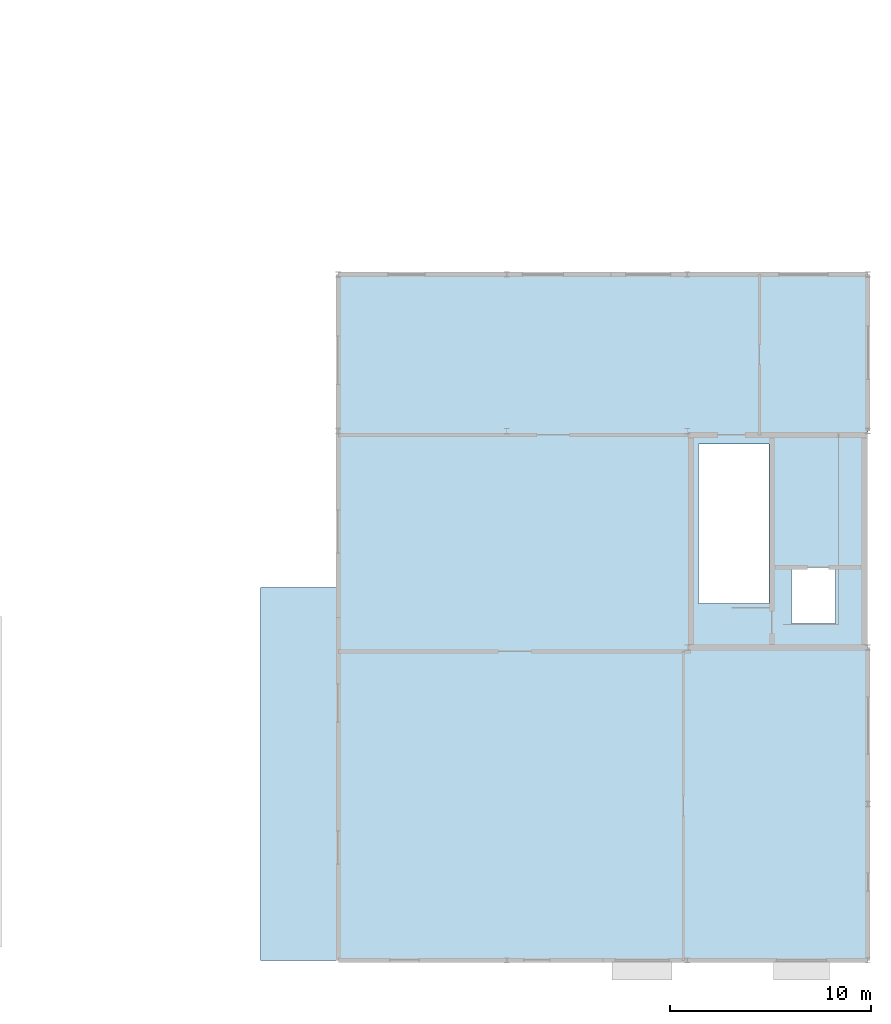
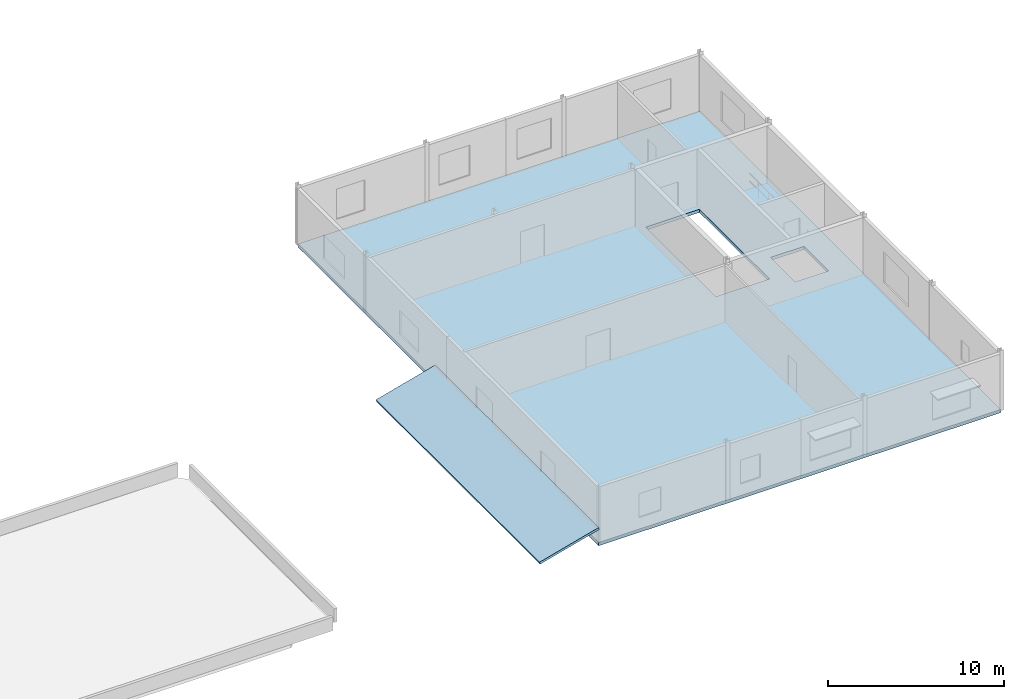
# One storey, part 34 of 54: 2 slabs.
"""IFC4 building model written with IfcOpenShell, lengths in metres."""

from ifc_helpers import new_model, si_unit, direction, frame, origin, place, context, subcontext, project, spatial, polyline, outline, extrude, material, layer, layer_set, type_object, element, save


model = new_model("IFC4")

# Units and contexts
model_context = context("Model", 3, precision=1e-05, world=origin(), true_north=direction((0.0, 1.0)))
body_context = subcontext(model_context, "Body", "Model", "MODEL_VIEW")
ifc_project = project(units=[si_unit("LENGTHUNIT", "METRE"), si_unit("AREAUNIT", "SQUARE_METRE"), si_unit("VOLUMEUNIT", "CUBIC_METRE"), si_unit("PLANEANGLEUNIT", "RADIAN"), si_unit("MASSUNIT", "GRAM", prefix="KILO")], contexts=[model_context])

# Site, building, storey
site_placement = place(None, origin())
site = spatial("IfcSite", under=ifc_project, at=site_placement, CompositionType="ELEMENT")
building_placement = place(site_placement, origin())
building = spatial("IfcBuilding", under=site, at=building_placement, Name="Selat Folded Stagehouse", CompositionType="ELEMENT")
storey_placement = place(building_placement, frame((0.0, 0.0, 15.0)))
storey = spatial("IfcBuildingStorey", under=building, at=storey_placement, Name="L03", CompositionType="ELEMENT", Elevation=15.0)

# Slabs
ifc_material = material(Name="Concrete C40/50", Category="concrete")
ifc_layer_1 = layer(ifc_material, 0.219970703125)
ifc_layer_set_1 = layer_set([ifc_layer_1], Name="Concrete C40/50")
slab_type_1 = type_object("IfcSlabType", Name="SLAB-FLR-220", PredefinedType="FLOOR", material=ifc_layer_set_1)
slab_1_placement = place(storey_placement, frame((0.0, 0.0, -0.219970703125)))
element("IfcSlab", 1, at=slab_1_placement, inside=storey, type_object=slab_type_1, Name="L03 V3 floor slab SL-L03-V3", PredefinedType="FLOOR", context=body_context, shape_type="SweptSolid", body=[
    extrude(outline(polyline([(134.39990234375, 0.0), (160.800048828125, 0.0), (160.800048828125, 34.199951171875), (134.39990234375, 34.199951171875), (134.39990234375, 0.0)]), holes=[polyline([(159.199951171875, 16.800048828125), (157.0, 16.800048828125), (157.0, 19.60009765625), (159.199951171875, 19.60009765625), (159.199951171875, 16.800048828125)]), polyline([(155.8798828125, 17.7900390625), (152.360107421875, 17.7900390625), (152.360107421875, 25.75), (155.8798828125, 25.75), (155.8798828125, 17.7900390625)])]), origin(), (0.0, 0.0, 1.0), 0.219970703125),
])
ifc_layer_2 = layer(ifc_material, 0.155029296875)
ifc_layer_set_2 = layer_set([ifc_layer_2], Name="Concrete C40/50")
slab_type_2 = type_object("IfcSlabType", Name="SLAB-ROOF-ST155", PredefinedType="ROOF", material=ifc_layer_set_2)
slab_2_placement = place(storey_placement, frame((130.510498046875, 0.0, 0.0), z_axis=(-0.260644953381, 0.0, 0.965434725021), x_axis=(0.965434725021, 0.0, 0.260644953381)))
element("IfcSlab", 2, at=slab_2_placement, inside=storey, type_object=slab_type_2, Name="Sloped folded-plate roof facet RF-V3-WEST", PredefinedType="ROOF", context=body_context, shape_type="SweptSolid", body=[
    extrude(outline(polyline([(0.0, 0.0), (4.02865589570472, 0.0), (4.02865589570472, 18.60009765625), (0.0, 18.60009765625), (0.0, 0.0)])), origin(), (0.0, 0.0, -1.0), 0.155029296875),
])

save(model, "model.ifc")
